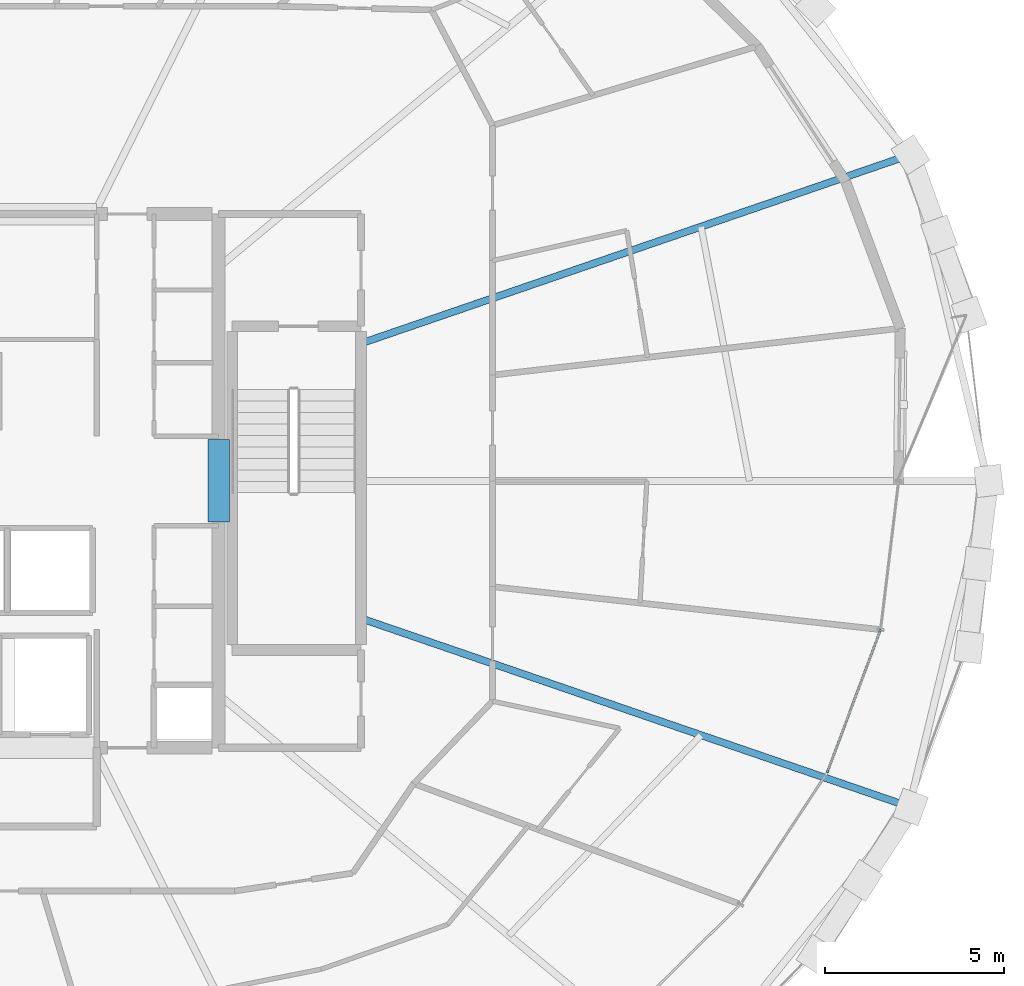
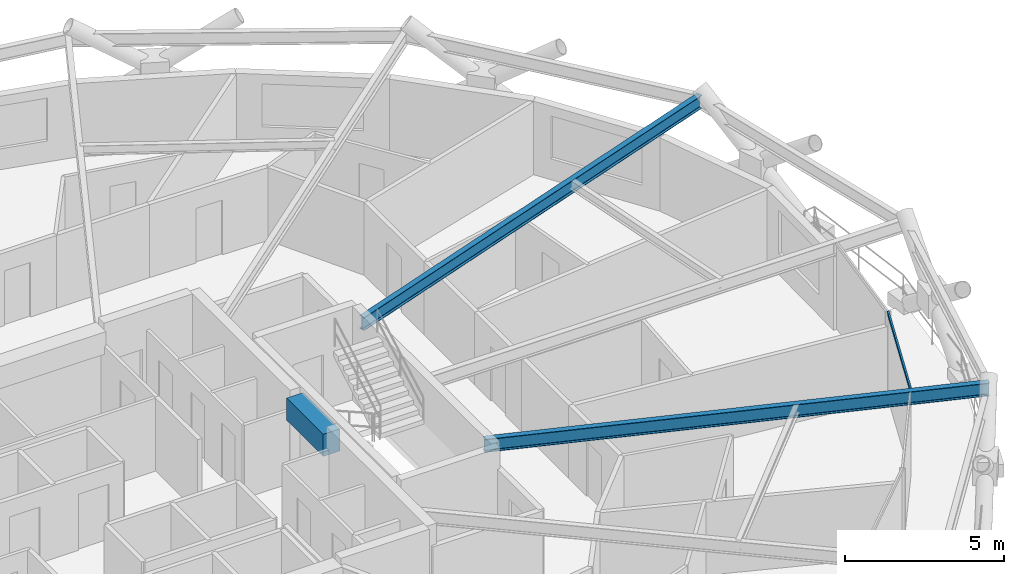
# One storey, part 7 of 20: 3 beams, 1 member, 1 element without a shape of its own.
"""IFC4 building model written with IfcOpenShell, lengths in metres."""

from ifc_helpers import new_model, si_unit, direction, frame, origin, origin_2d, place, context, subcontext, project, spatial, rectangle, hollow_rectangle, i_section, extrude, material, layer, layer_set, material_profile, profile_set, type_object, element, aggregate, save


model = new_model("IFC4")

# Units and contexts
model_context = context("Model", 3, precision=1e-05, world=origin(), true_north=direction((0.0, 1.0)))
body_context = subcontext(model_context, "Body", "Model", "MODEL_VIEW")
ifc_project = project(units=[si_unit("LENGTHUNIT", "METRE"), si_unit("AREAUNIT", "SQUARE_METRE"), si_unit("VOLUMEUNIT", "CUBIC_METRE"), si_unit("PLANEANGLEUNIT", "RADIAN"), si_unit("MASSUNIT", "GRAM", prefix="KILO")], contexts=[model_context])

# Site, building, storey
site_placement = place(None, origin())
site = spatial("IfcSite", under=ifc_project, at=site_placement, CompositionType="ELEMENT")
building_placement = place(site_placement, origin())
building = spatial("IfcBuilding", under=site, at=building_placement, Name="Veldorina Hangang Commons", CompositionType="ELEMENT")
storey_placement = place(building_placement, frame((0.0, 0.0, 117.199951171875)))
storey = spatial("IfcBuildingStorey", under=building, at=storey_placement, Name="L29", CompositionType="ELEMENT", Elevation=117.199951171875)

# Beams
ifc_material_1 = material(Name="Concrete C60/75", Category="concrete")
ifc_material_profile_1 = material_profile(ifc_material_1, rectangle(XDim=0.60009765625, YDim=0.85009765625, at=origin_2d()), Name="RC-CB-600x850")
ifc_profile_set_1 = profile_set([ifc_material_profile_1], Name="Concrete C60/75")
beam_type_1 = type_object("IfcBeamType", Name="BM-CB850", PredefinedType="LINTEL", material=ifc_profile_set_1)
beam_placement = place(storey_placement, frame((39.199951171875, 22.85009765625, 2.925048828125), z_axis=(0.0, 1.0, 0.0), x_axis=(-1.0, 0.0, 0.0)))
element("IfcBeam", 1, at=beam_placement, inside=storey, type_object=beam_type_1, Name="L29 E core coupling lintel beam", PredefinedType="LINTEL", context=body_context, shape_type="SweptSolid", body=[
    extrude(rectangle(XDim=0.60009765625, YDim=0.85009765625, at=origin_2d()), origin(), (0.0, 0.0, 1.0), 2.2998046875),
])
ifc_material_2 = material(Name="Steel SM420-TMC", Category="steel")
ifc_material_profile_2 = material_profile(ifc_material_2, i_section(OverallWidth=0.199951171875, OverallDepth=0.5, WebThickness=0.010009765625, FlangeThickness=0.01611328125, FilletRadius=0.01611328125, at=origin_2d()), Name="H-500x200x10x16")
ifc_profile_set_2 = profile_set([ifc_material_profile_2], Name="Steel SM420-TMC")
beam_type_2 = type_object("IfcBeamType", Name="BM-FG500", PredefinedType="BEAM", material=ifc_profile_set_2)
for number, where, z_axis, x_axis, name in (
    (2, (43.179931640625, 27.839111328125, 3.10009765625), (0.945786529859, 0.324788915971, 0.0), (-0.324788915971, 0.945786529859, 0.0), "L29 radial floor girder 02"),
    (3, (43.179931640625, 20.160888671875, 3.10009765625), (0.945786529859, -0.324788915971, 0.0), (0.324788915971, 0.945786529859, 0.0), "L29 radial floor girder 16"),
):
    element("IfcBeam", number, at=place(storey_placement, frame(where, z_axis=z_axis, x_axis=x_axis)), inside=storey, type_object=beam_type_2, Name=name, PredefinedType="BEAM", context=body_context, shape_type="SweptSolid", body=[
        extrude(i_section(OverallWidth=0.199951171875, OverallDepth=0.5, WebThickness=0.010009765625, FlangeThickness=0.01611328125, FilletRadius=0.01611328125, at=origin_2d()), origin(), (0.0, 0.0, 1.0), 16.187744140625),
    ])

# Curtain wall, member
ifc_material_3 = material(Name="Glass Low-E Triple IGU", Category="glass")
ifc_layer = layer(ifc_material_3, 0.179931640625)
ifc_layer_set = layer_set([ifc_layer], Name="Glass Low-E Triple IGU")
curtain_wall_type = type_object("IfcCurtainWallType", Name="CW-SYS-Z2", PredefinedType="NOTDEFINED", material=ifc_layer_set)
curtain_wall_placement = place(storey_placement, origin())
curtain_wall = element("IfcCurtainWall", 4, at=curtain_wall_placement, inside=storey, type_object=curtain_wall_type, Name="L29 unitised curtain wall CW-L29-R2", PredefinedType="NOTDEFINED")
ifc_material_4 = material(Name="Aluminium Anodized AA6063-T6", Category="aluminium")
ifc_material_profile_3 = material_profile(ifc_material_4, hollow_rectangle(XDim=0.06005859375, YDim=0.139892578125, WallThickness=0.00341796875, at=origin_2d()), Name="ALU-RHS-140x60x3.5")
ifc_profile_set_3 = profile_set([ifc_material_profile_3], Name="Aluminium Anodized AA6063-T6")
member_type = type_object("IfcMemberType", Name="CW-TRN-140", PredefinedType="USERDEFINED", material=ifc_profile_set_3)
member_placement = place(storey_placement, frame((56.193115234375, 15.858642578125, 3.27001953125), z_axis=(0.349810498607, 0.93682048177, 0.0), x_axis=(-0.93682048177, 0.349810498607, 0.0)))
member = element("IfcMember", 5, at=member_placement, type_object=member_type, Name="CW-L29-R2 facet 4 transom 1", ObjectType="TRANSOM", PredefinedType="USERDEFINED", context=body_context, shape_type="SweptSolid", body=[
    extrude(hollow_rectangle(XDim=0.06005859375, YDim=0.139892578125, WallThickness=0.00341796875, at=origin_2d()), origin(), (0.0, 0.0, 1.0), 4.260009765625),
])
aggregate(curtain_wall, [member])

save(model, "model.ifc")
